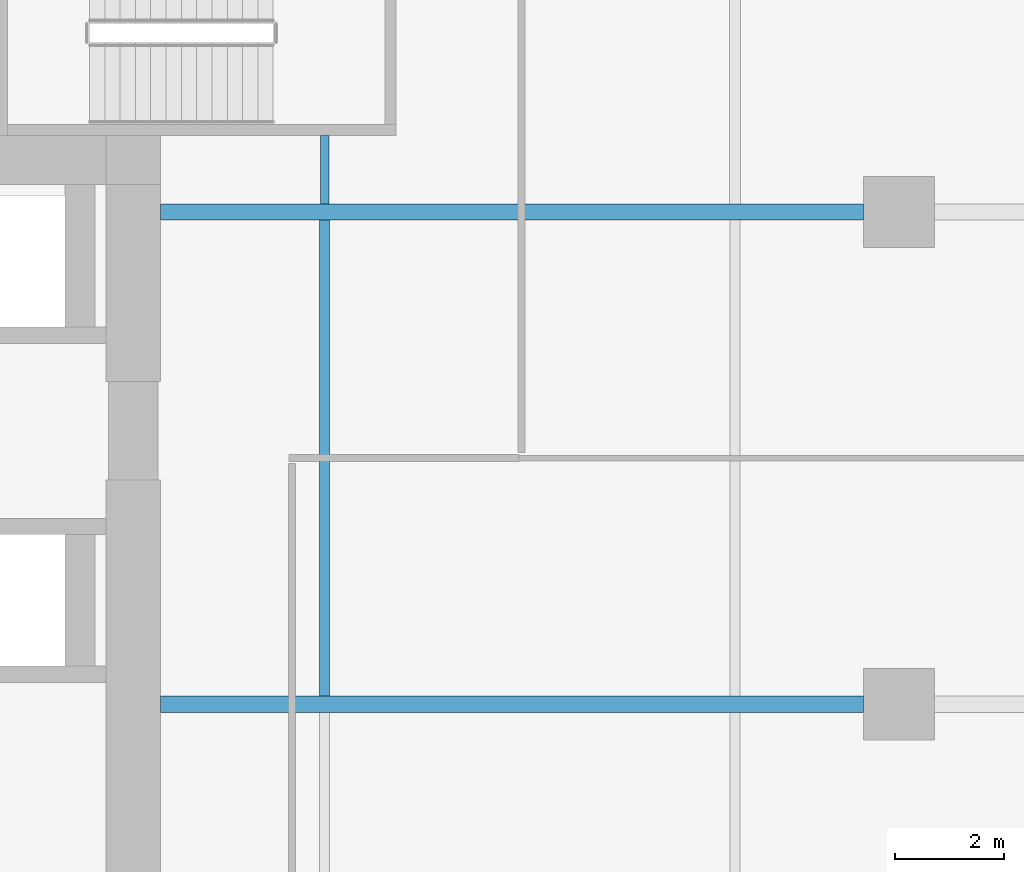
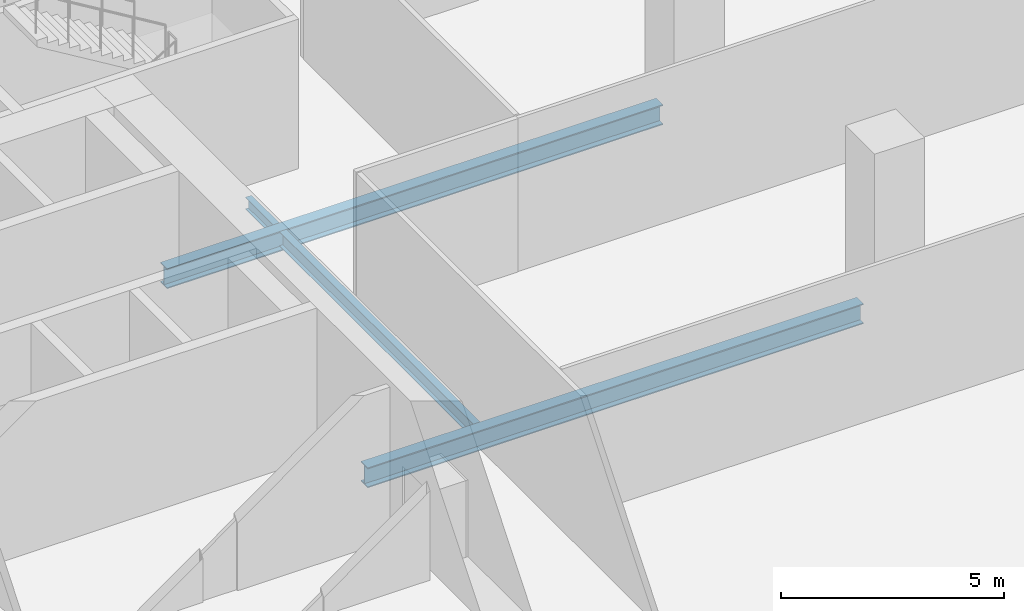
# One storey, part 15 of 35: 4 beams.
"""IFC4 building model written with IfcOpenShell, lengths in metres."""

from ifc_helpers import new_model, si_unit, direction, frame, origin, origin_2d, place, context, subcontext, project, spatial, i_section, extrude, source, transform, mapped, material, material_profile, profile_set, type_object, element, save


model = new_model("IFC4")

# Units and contexts
model_context = context("Model", 3, precision=1e-05, world=origin(), true_north=direction((0.0, 1.0)))
body_context = subcontext(model_context, "Body", "Model", "MODEL_VIEW")
ifc_project = project(units=[si_unit("LENGTHUNIT", "METRE"), si_unit("AREAUNIT", "SQUARE_METRE"), si_unit("VOLUMEUNIT", "CUBIC_METRE"), si_unit("PLANEANGLEUNIT", "RADIAN"), si_unit("MASSUNIT", "GRAM", prefix="KILO")], contexts=[model_context])

# Site, building, storey
site_placement = place(None, origin())
site = spatial("IfcSite", under=ifc_project, at=site_placement, CompositionType="ELEMENT")
building_placement = place(site_placement, origin())
building = spatial("IfcBuilding", under=site, at=building_placement, Name="Khomas Fold Tower", CompositionType="ELEMENT")
storey_placement = place(building_placement, frame((0.0, 0.0, 119.10009765625)))
storey = spatial("IfcBuildingStorey", under=building, at=storey_placement, Name="L25", CompositionType="ELEMENT", Elevation=119.10009765625)

# Beams
ifc_material_1 = material(Name="Steel S355", Category="steel")
ifc_material_profile_1 = material_profile(ifc_material_1, i_section(OverallWidth=0.179931640625, OverallDepth=0.39990234375, WebThickness=0.008544921875, FlangeThickness=0.013427734375, at=origin_2d()), Name="IPE 400")
ifc_profile_set_1 = profile_set([ifc_material_profile_1], Name="Steel S355")
beam_type_1 = type_object("IfcBeamType", Name="IPE 400 beam JB3", PredefinedType="BEAM", material=ifc_profile_set_1)
shared_shape_1 = source(origin(), body_context, "Body", "SweptSolid", [
    extrude(i_section(OverallWidth=0.179931640625, OverallDepth=0.39990234375, WebThickness=0.008544921875, FlangeThickness=0.013427734375, at=origin_2d()), origin(), (0.0, 0.0, 1.0), 8.7001953125),
])
beam_1_placement = place(storey_placement, frame((27.0, 31.64990234375, -0.5), z_axis=(0.0, 1.0, 0.0), x_axis=(-1.0, 0.0, 0.0)))
element("IfcBeam", 1, at=beam_1_placement, inside=storey, type_object=beam_type_1, Name="JB3", PredefinedType="BEAM", context=body_context, shape_type="MappedRepresentation", body=[
    mapped(shared_shape_1, transform((0.0, 0.0, 0.0))),
])
ifc_material_2 = material(Name="Steel S355", Category="steel")
ifc_material_profile_2 = material_profile(ifc_material_2, i_section(OverallWidth=0.159912109375, OverallDepth=0.330078125, WebThickness=0.007568359375, FlangeThickness=0.011474609375, at=origin_2d()), Name="IPE 330")
ifc_profile_set_2 = profile_set([ifc_material_profile_2], Name="Steel S355")
beam_type_2 = type_object("IfcBeamType", Name="IPE 330 beam JB1", PredefinedType="BEAM", material=ifc_profile_set_2)
shared_shape_2 = source(origin(), body_context, "Body", "SweptSolid", [
    extrude(i_section(OverallWidth=0.159912109375, OverallDepth=0.330078125, WebThickness=0.007568359375, FlangeThickness=0.011474609375, at=origin_2d()), origin(), (0.0, 0.0, 1.0), 1.25),
])
beam_2_placement = place(storey_placement, frame((27.0, 40.64990234375, -0.465087890625), z_axis=(0.0, 1.0, 0.0), x_axis=(-1.0, 0.0, 0.0)))
element("IfcBeam", 2, at=beam_2_placement, inside=storey, type_object=beam_type_2, Name="JB1", PredefinedType="BEAM", context=body_context, shape_type="MappedRepresentation", body=[
    mapped(shared_shape_2, transform((0.0, 0.0, 0.0))),
])
ifc_material_3 = material(Name="Steel S355", Category="steel")
ifc_material_profile_3 = material_profile(ifc_material_3, i_section(OverallWidth=0.300048828125, OverallDepth=0.550048828125, WebThickness=0.014892578125, FlangeThickness=0.029052734375, at=origin_2d()), Name="HE 550 B")
ifc_profile_set_3 = profile_set([ifc_material_profile_3], Name="Steel S355")
beam_type_3 = type_object("IfcBeamType", Name="HE 550 B beam GB4", PredefinedType="BEAM", material=ifc_profile_set_3)
shared_shape_3 = source(origin(), body_context, "Body", "SweptSolid", [
    extrude(i_section(OverallWidth=0.300048828125, OverallDepth=0.550048828125, WebThickness=0.014892578125, FlangeThickness=0.029052734375, at=origin_2d()), origin(), (0.0, 0.0, 1.0), 12.85009765625),
])
for number, where, z_axis, x_axis, name in (
    (3, (24.0, 31.5, -0.5751953125), (1.0, 0.0, 0.0), (0.0, 1.0, 0.0), "GB4"),
    (4, (24.0, 40.5, -0.5751953125), (1.0, 0.0, 0.0), (0.0, 1.0, 0.0), "GB4"),
):
    element("IfcBeam", number, at=place(storey_placement, frame(where, z_axis=z_axis, x_axis=x_axis)), inside=storey, type_object=beam_type_3, Name=name, PredefinedType="BEAM", context=body_context, shape_type="MappedRepresentation", body=[
        mapped(shared_shape_3, transform((0.0, 0.0, 0.0))),
    ])

save(model, "model.ifc")
